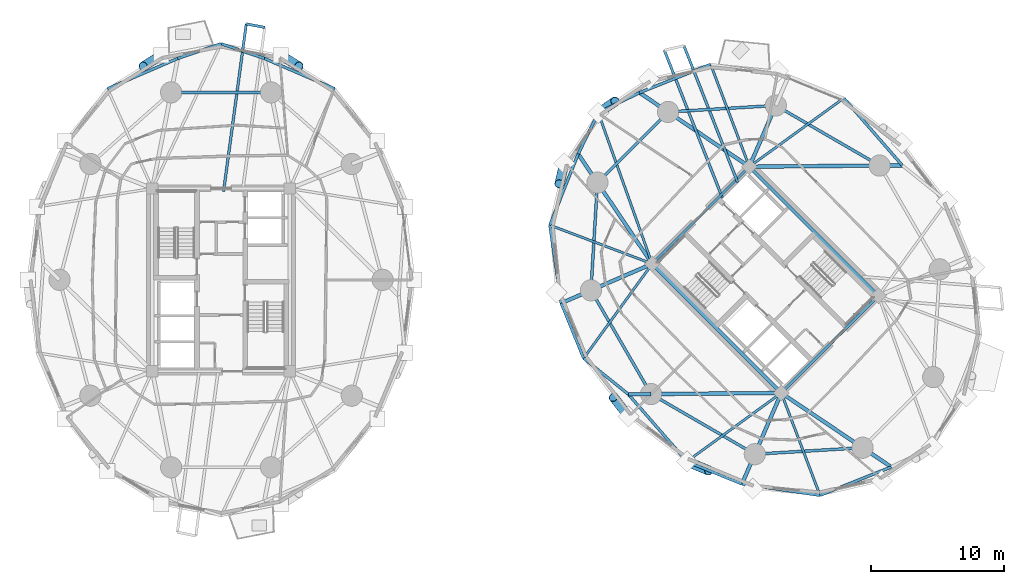
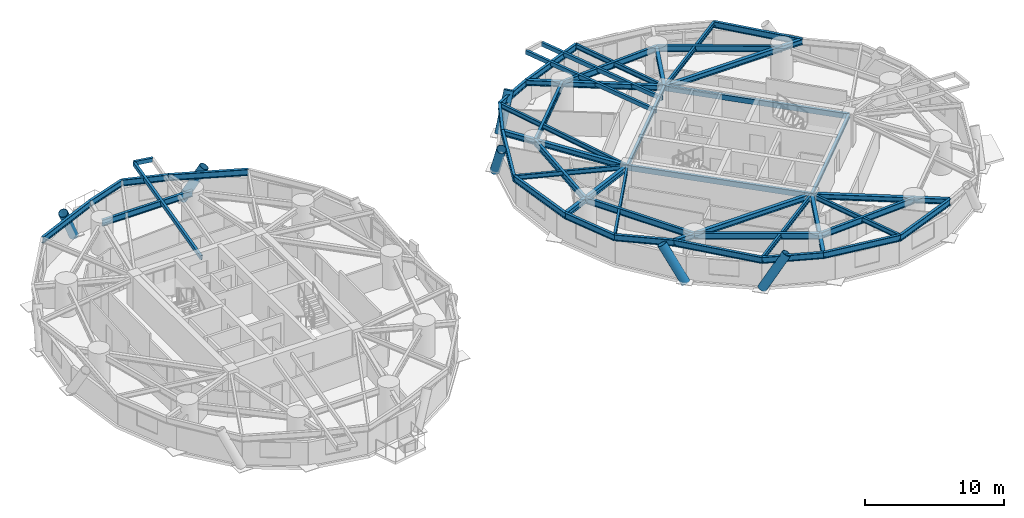
# One storey, part 6 of 18: 48 beams, 6 members.
"""IFC4 building model written with IfcOpenShell, lengths in metres."""

import ifcopenshell
import ifcopenshell.guid

model = None  # the IFC model being written
_history = None  # IfcOwnerHistory: only IFC2X3 demands one
_inside = {}  # id of a spatial element -> (the spatial element, [elements in it])
_under = {}  # id of a project, library or spatial element -> (it, [spatial elements below it])
_declared = {}  # id of a project -> (the project, [libraries it declares])
_typed = {}  # id of a type object -> (the type object, [elements of that type])
_made_of = {}  # id of a material, layer set ... -> (it, [elements and type objects made of it])


def new_model(schema):
    """Start an empty IFC model of exactly this schema.

    Asked for "IFC4X3", IfcOpenShell would pick the latest addendum, in which some entities
    have other attributes; the version numbers below select the first issue.
    IFC2X3 requires an IfcOwnerHistory on every rooted entity: one is made here for all.
    """
    global model, _history
    if schema == "IFC4X3":
        model = ifcopenshell.file(schema_version=(4, 3, 0, 0))
    else:
        model = ifcopenshell.file(schema=schema)
    _inside.clear()
    _under.clear()
    _declared.clear()
    _typed.clear()
    _made_of.clear()
    _history = None
    if model.schema == "IFC2X3":
        org = make("IfcOrganization", Name="unknown")
        user = make(
            "IfcPersonAndOrganization",
            ThePerson=make("IfcPerson", FamilyName="unknown"),
            TheOrganization=org,
        )
        app = make(
            "IfcApplication",
            ApplicationDeveloper=org,
            Version="unknown",
            ApplicationFullName="unknown",
            ApplicationIdentifier="unknown",
        )
        _history = make(
            "IfcOwnerHistory",
            OwningUser=user,
            OwningApplication=app,
            ChangeAction="ADDED",
            CreationDate=0,
        )
    return model


def make(cls, **values):
    """One entity of the class cls with the attributes given. An attribute that is None is left unset."""
    return model.create_entity(
        cls, **{name: value for name, value in values.items() if value is not None}
    )


def rooted(cls, **values):
    """An entity with a GlobalId (a new one), such as an element, a storey or a relation."""
    return make(cls, GlobalId=ifcopenshell.guid.new(), OwnerHistory=_history, **values)


def si_unit(unit_type, name, prefix=None):
    """IfcSIUnit, for example si_unit("LENGTHUNIT", "METRE", prefix="MILLI")."""
    return make("IfcSIUnit", UnitType=unit_type, Prefix=prefix, Name=name)


def assignment(units):
    """IfcUnitAssignment: the units of a project."""
    return None if units is None else make("IfcUnitAssignment", Units=units)


def point(xyz):
    """IfcCartesianPoint."""
    return None if xyz is None else make("IfcCartesianPoint", Coordinates=xyz)


def direction(xyz):
    """IfcDirection."""
    return None if xyz is None else make("IfcDirection", DirectionRatios=xyz)


def frame(location, z_axis=None, x_axis=None):
    """IfcAxis2Placement3D, a coordinate frame: its origin and axes. An axis left out is left unset."""
    return make(
        "IfcAxis2Placement3D",
        Location=point(location),
        Axis=direction(z_axis),
        RefDirection=direction(x_axis),
    )


def frame_2d(location, x_axis=None):
    """IfcAxis2Placement2D, a coordinate frame in the plane: its origin and x axis."""
    return make(
        "IfcAxis2Placement2D", Location=point(location), RefDirection=direction(x_axis)
    )


def origin():
    """The frame at (0, 0, 0) with its axes left unset."""
    return frame((0.0, 0.0, 0.0))


def origin_2d():
    """The frame at (0, 0) in the plane with its x axis left unset."""
    return frame_2d((0.0, 0.0))


def place(relative_to, where):
    """IfcLocalPlacement: puts the frame where relative to a parent placement (None: the world)."""
    return make(
        "IfcLocalPlacement", PlacementRelTo=relative_to, RelativePlacement=where
    )


def context(
    kind, dimensions, precision=None, world=None, true_north=None, identifier=None
):
    """IfcGeometricRepresentationContext, for example the 3D "Model" context."""
    return make(
        "IfcGeometricRepresentationContext",
        ContextIdentifier=identifier,
        ContextType=kind,
        CoordinateSpaceDimension=dimensions,
        Precision=precision,
        WorldCoordinateSystem=world,
        TrueNorth=true_north,
    )


def subcontext(parent, identifier, kind, view, scale=None):
    """IfcGeometricRepresentationSubContext, for example "Body" below "Model"."""
    return make(
        "IfcGeometricRepresentationSubContext",
        ContextIdentifier=identifier,
        ContextType=kind,
        ParentContext=parent,
        TargetScale=scale,
        TargetView=view,
    )


def project(units=None, contexts=None):
    """IfcProject with its units and contexts."""
    return rooted(
        "IfcProject",
        Name="project",
        RepresentationContexts=contexts,
        UnitsInContext=assignment(units),
    )


def spatial(cls, under=None, at=None, **own):
    """A site, building, storey or space (cls), placed at a placement, below another one or the project."""
    s = rooted(cls, ObjectPlacement=at, **own)
    if under is not None:
        _under.setdefault(under.id(), (under, []))[1].append(s)
    return s


def profile(cls, at=None, kind="AREA", **sizes):
    """A parametric profile (cls). Its sizes go by their IFC names, for example OverallWidth=200.0."""
    return make(cls, ProfileType=kind, Position=at, **sizes)


def hollow_rectangle(**sizes):
    """IfcRectangleHollowProfileDef."""
    return profile("IfcRectangleHollowProfileDef", **sizes)


def hollow_circle(**sizes):
    """IfcCircleHollowProfileDef."""
    return profile("IfcCircleHollowProfileDef", **sizes)


def i_section(**sizes):
    """IfcIShapeProfileDef."""
    return profile("IfcIShapeProfileDef", **sizes)


def extrude(swept, where, along, depth):
    """IfcExtrudedAreaSolid: the profile swept, set in the frame where, extruded along a direction by depth."""
    return make(
        "IfcExtrudedAreaSolid",
        SweptArea=swept,
        Position=where,
        ExtrudedDirection=direction(along),
        Depth=depth,
    )


def shape(context_of_items, identifier, shape_type, items):
    """IfcShapeRepresentation: the items that make up one representation, for example the "Body"."""
    return make(
        "IfcShapeRepresentation",
        ContextOfItems=context_of_items,
        RepresentationIdentifier=identifier,
        RepresentationType=shape_type,
        Items=items,
    )


def material(Name=None, Category=None):
    """IfcMaterial."""
    return make("IfcMaterial", Name=Name, Category=Category)


def material_profile(
    of_material, cross_section, Name=None, Category=None, Priority=None
):
    """IfcMaterialProfile: a cross section and its material."""
    return make(
        "IfcMaterialProfile",
        Name=Name,
        Material=of_material,
        Profile=cross_section,
        Priority=Priority,
        Category=Category,
    )


def profile_set(profiles, Name=None, composite=None):
    """IfcMaterialProfileSet."""
    return make(
        "IfcMaterialProfileSet",
        Name=Name,
        MaterialProfiles=profiles,
        CompositeProfile=composite,
    )


def made_of(thing, what):
    """Note that an element or type object is made of a material, layer set ...; save() writes the relation."""
    if what is not None:
        _made_of.setdefault(what.id(), (what, []))[1].append(thing)
    return thing


def type_object(cls, material=None, **own):
    """A type object (cls), such as IfcWallType, which elements share."""
    return made_of(rooted(cls, **own), material)


def element(
    cls,
    number,
    at=None,
    inside=None,
    cuts=None,
    type_object=None,
    material=None,
    context=None,
    identifier="Body",
    shape_type=None,
    held_by="IfcProductDefinitionShape",
    body=None,
    shapes=None,
    **own,
):
    """One element of the class cls, such as IfcWall. Its Tag is "e" and its number.

    at: its placement. inside: the storey or other place that contains it. cuts: it is an
    opening in that element (IfcRelVoidsElement). A single representation is given by context,
    identifier, shape_type and body (its items); several are given by shapes. held_by: the class
    of the entity that holds the representations. save() writes the other relations.
    """
    e = rooted(cls, Tag="e%d" % number, ObjectPlacement=at, **own)
    if body is not None:
        shapes = [shape(context, identifier, shape_type, body)]
    if shapes is not None:
        e.Representation = make(held_by, Representations=shapes)
    if inside is not None:
        _inside.setdefault(inside.id(), (inside, []))[1].append(e)
    if cuts is not None:
        rooted(
            "IfcRelVoidsElement", RelatingBuildingElement=cuts, RelatedOpeningElement=e
        )
    if type_object is not None:
        _typed.setdefault(type_object.id(), (type_object, []))[1].append(e)
    return made_of(e, material)


def aggregate(whole, parts):
    """IfcRelAggregates: a whole, such as a stair, and the parts it consists of."""
    return rooted("IfcRelAggregates", RelatingObject=whole, RelatedObjects=parts)


def save(model, path):
    """Write the relations noted so far, then the file.

    IfcRelAggregates (storeys below a building ...), IfcRelContainedInSpatialStructure (elements
    in a storey), IfcRelDefinesByType, IfcRelAssociatesMaterial and IfcRelDeclares: one each for
    every whole, place, type object, material and project.
    """
    for whole, parts in _under.values():
        aggregate(whole, parts)
    for where, things in _inside.values():
        rooted(
            "IfcRelContainedInSpatialStructure",
            RelatedElements=things,
            RelatingStructure=where,
        )
    for kind, things in _typed.values():
        rooted("IfcRelDefinesByType", RelatedObjects=things, RelatingType=kind)
    for what, things in _made_of.values():
        rooted("IfcRelAssociatesMaterial", RelatedObjects=things, RelatingMaterial=what)
    for by, libraries in _declared.values():
        rooted("IfcRelDeclares", RelatingContext=by, RelatedDefinitions=libraries)
    model.write(path)


model = new_model("IFC4")

# Units and contexts
model_context = context("Model", 3, precision=1e-05, world=origin(), true_north=direction((0.0, 1.0)))
body_context = subcontext(model_context, "Body", "Model", "MODEL_VIEW")
ifc_project = project(units=[si_unit("LENGTHUNIT", "METRE"), si_unit("AREAUNIT", "SQUARE_METRE"), si_unit("VOLUMEUNIT", "CUBIC_METRE"), si_unit("PLANEANGLEUNIT", "RADIAN"), si_unit("MASSUNIT", "GRAM", prefix="KILO")], contexts=[model_context])

# Site, building, storey
site_placement = place(None, origin())
site = spatial("IfcSite", under=ifc_project, at=site_placement, CompositionType="ELEMENT")
building_placement = place(site_placement, origin())
building = spatial("IfcBuilding", under=site, at=building_placement, Name="Cununo Teusaquillo Station Towers", CompositionType="ELEMENT")
storey_placement = place(building_placement, frame((0.0, 0.0, 22.0)))
storey = spatial("IfcBuildingStorey", under=building, at=storey_placement, Name="L05", CompositionType="ELEMENT", Elevation=22.0)

# Beams
ifc_material_1 = material(Name="Steel EN 10025-2 S355J2", Category="steel")
ifc_material_profile_1 = material_profile(ifc_material_1, hollow_rectangle(XDim=0.199951171875, YDim=0.35009765625, WallThickness=0.013916015625, at=origin_2d()), Name="RHS 350x200x14")
ifc_profile_set_1 = profile_set([ifc_material_profile_1], Name="Steel EN 10025-2 S355J2")
beam_type_1 = type_object("IfcBeamType", Name="BM-BAL-CANT", PredefinedType="BEAM", material=ifc_profile_set_1)
beam_1_placement = place(storey_placement, frame((16.6875, 31.14990234375, 2.47509765625), z_axis=(0.1343260621, 0.990937187233, 0.0), x_axis=(-0.990937187233, 0.1343260621, 0.0)))
element("IfcBeam", 1, at=beam_1_placement, inside=storey, type_object=beam_type_1, Name="L05 Tower A Balcony Cantilever Bracket 1B", PredefinedType="BEAM", context=body_context, shape_type="SweptSolid", body=[
    extrude(hollow_rectangle(XDim=0.199951171875, YDim=0.35009765625, WallThickness=0.013916015625, at=origin_2d()), origin(), (0.0, 0.0, 1.0), 12.748046875),
])
beam_2_placement = place(storey_placement, frame((55.422119140625, 31.82666015625, 2.47509765625), z_axis=(-0.366009523794, 0.930611104862, 0.0), x_axis=(-0.930611104862, -0.366009523794, 0.0)))
element("IfcBeam", 2, at=beam_2_placement, inside=storey, type_object=beam_type_1, Name="L05 Tower B Balcony Cantilever Bracket 1A", PredefinedType="BEAM", context=body_context, shape_type="SweptSolid", body=[
    extrude(hollow_rectangle(XDim=0.199951171875, YDim=0.35009765625, WallThickness=0.013916015625, at=origin_2d()), origin(), (0.0, 0.0, 1.0), 11.08154296875),
])
beam_3_placement = place(storey_placement, frame((54.268310546875, 30.6728515625, 2.47509765625), z_axis=(-0.366045434184, 0.930596980499, 0.0), x_axis=(-0.930596980499, -0.366045434184, 0.0)))
element("IfcBeam", 3, at=beam_3_placement, inside=storey, type_object=beam_type_1, Name="L05 Tower B Balcony Cantilever Bracket 1B", PredefinedType="BEAM", context=body_context, shape_type="SweptSolid", body=[
    extrude(hollow_rectangle(XDim=0.199951171875, YDim=0.35009765625, WallThickness=0.013916015625, at=origin_2d()), origin(), (0.0, 0.0, 1.0), 11.9521484375),
])
ifc_material_2 = material(Name="Steel EN 10025-2 S355J2", Category="steel")
ifc_material_profile_2 = material_profile(ifc_material_2, hollow_rectangle(XDim=0.25, YDim=0.449951171875, WallThickness=0.01611328125, at=origin_2d()), Name="RHS 450x250x16")
ifc_profile_set_2 = profile_set([ifc_material_profile_2], Name="Steel EN 10025-2 S355J2")
beam_type_2 = type_object("IfcBeamType", Name="BM-COUP-1", PredefinedType="USERDEFINED", material=ifc_profile_set_2)
for number, where, z_axis, x_axis, name in (
    (4, (58.70556640625, 15.975830078125, 2.425048828125), (-0.707106781187, 0.707106781187, 0.0), (-0.707106781187, -0.707106781187, 0.0), "L05 Tower B Core Beam 1"),
    (5, (66.024169921875, 23.29443359375, 2.425048828125), (-0.707106781187, 0.707106781187, 0.0), (-0.707106781187, -0.707106781187, 0.0), "L05 Tower B Core Beam 2"),
):
    element("IfcBeam", number, at=place(storey_placement, frame(where, z_axis=z_axis, x_axis=x_axis)), inside=storey, type_object=beam_type_2, Name=name, ObjectType="COUPLING BEAM", PredefinedType="USERDEFINED", context=body_context, shape_type="SweptSolid", body=[
        extrude(hollow_rectangle(XDim=0.25, YDim=0.449951171875, WallThickness=0.01611328125, at=origin_2d()), origin(), (0.0, 0.0, 1.0), 13.760009765625),
    ])
ifc_material_3 = material(Name="Steel ASTM A572 Grade 50", Category="steel")
ifc_material_profile_3 = material_profile(ifc_material_3, i_section(OverallWidth=0.180908203125, OverallDepth=0.4169921875, WebThickness=0.010986328125, FlangeThickness=0.018310546875, FilletRadius=0.012939453125, at=origin_2d()), Name="W16X57")
ifc_profile_set_3 = profile_set([ifc_material_profile_3], Name="Steel ASTM A572 Grade 50")
beam_type_3 = type_object("IfcBeamType", Name="BM-JOIST-1", PredefinedType="JOIST", material=ifc_profile_set_3)
beam_4_placement = place(storey_placement, frame((56.29443359375, 33.024169921875, 2.44140625), z_axis=(0.80949430453, 0.587127729658, 0.0), x_axis=(-0.587127729658, 0.80949430453, 0.0)))
element("IfcBeam", 6, at=beam_4_placement, inside=storey, type_object=beam_type_3, Name="L05 Tower B Radial Spandrel Joist V01", PredefinedType="JOIST", context=body_context, shape_type="SweptSolid", body=[
    extrude(i_section(OverallWidth=0.180908203125, OverallDepth=0.4169921875, WebThickness=0.010986328125, FlangeThickness=0.018310546875, FilletRadius=0.012939453125, at=origin_2d()), origin(), (0.0, 0.0, 1.0), 8.792236328125),
])
beam_5_placement = place(storey_placement, frame((56.29443359375, 33.024169921875, 2.44140625), z_axis=(-0.353719108867, 0.935351694296, 0.0), x_axis=(-0.935351694296, -0.353719108867, 0.0)))
element("IfcBeam", 7, at=beam_5_placement, inside=storey, type_object=beam_type_3, Name="L05 Tower B Radial Spandrel Joist V03", PredefinedType="JOIST", context=body_context, shape_type="SweptSolid", body=[
    extrude(i_section(OverallWidth=0.180908203125, OverallDepth=0.4169921875, WebThickness=0.010986328125, FlangeThickness=0.018310546875, FilletRadius=0.012939453125, at=origin_2d()), origin(), (0.0, 0.0, 1.0), 8.24169921875),
])
beam_6_placement = place(storey_placement, frame((48.975830078125, 25.70556640625, 2.44140625), z_axis=(-0.335830426812, 0.941922462004, 0.0), x_axis=(-0.941922462004, -0.335830426812, 0.0)))
element("IfcBeam", 8, at=beam_6_placement, inside=storey, type_object=beam_type_3, Name="L05 Tower B Radial Spandrel Joist V05", PredefinedType="JOIST", context=body_context, shape_type="SweptSolid", body=[
    extrude(i_section(OverallWidth=0.180908203125, OverallDepth=0.4169921875, WebThickness=0.010986328125, FlangeThickness=0.018310546875, FilletRadius=0.012939453125, at=origin_2d()), origin(), (0.0, 0.0, 1.0), 12.074951171875),
])
beam_7_placement = place(storey_placement, frame((48.975830078125, 25.70556640625, 2.44140625), z_axis=(-0.935351694296, 0.353719108867, 0.0), x_axis=(-0.353719108867, -0.935351694296, 0.0)))
element("IfcBeam", 9, at=beam_7_placement, inside=storey, type_object=beam_type_3, Name="L05 Tower B Radial Spandrel Joist V07", PredefinedType="JOIST", context=body_context, shape_type="SweptSolid", body=[
    extrude(i_section(OverallWidth=0.180908203125, OverallDepth=0.4169921875, WebThickness=0.010986328125, FlangeThickness=0.018310546875, FilletRadius=0.012939453125, at=origin_2d()), origin(), (0.0, 0.0, 1.0), 8.24169921875),
])
for number, where, z_axis, x_axis, name in (
    (10, (48.975830078125, 25.70556640625, 2.44140625), (-0.587127729658, -0.80949430453, 0.0), (0.80949430453, -0.587127729658, 0.0), "L05 Tower B Radial Spandrel Joist V09"),
    (11, (58.70556640625, 15.975830078125, 2.44140625), (-0.80949430453, -0.587127729658, 0.0), (0.587127729658, -0.80949430453, 0.0), "L05 Tower B Radial Spandrel Joist V11"),
):
    element("IfcBeam", number, at=place(storey_placement, frame(where, z_axis=z_axis, x_axis=x_axis)), inside=storey, type_object=beam_type_3, Name=name, PredefinedType="JOIST", context=body_context, shape_type="SweptSolid", body=[
        extrude(i_section(OverallWidth=0.180908203125, OverallDepth=0.4169921875, WebThickness=0.010986328125, FlangeThickness=0.018310546875, FilletRadius=0.012939453125, at=origin_2d()), origin(), (0.0, 0.0, 1.0), 8.792236328125),
    ])
beam_8_placement = place(storey_placement, frame((58.70556640625, 15.975830078125, 2.44140625), z_axis=(0.353719108867, -0.935351694296, 0.0), x_axis=(0.935351694296, 0.353719108867, 0.0)))
element("IfcBeam", 12, at=beam_8_placement, inside=storey, type_object=beam_type_3, Name="L05 Tower B Radial Spandrel Joist V13", PredefinedType="JOIST", context=body_context, shape_type="SweptSolid", body=[
    extrude(i_section(OverallWidth=0.180908203125, OverallDepth=0.4169921875, WebThickness=0.010986328125, FlangeThickness=0.018310546875, FilletRadius=0.012939453125, at=origin_2d()), origin(), (0.0, 0.0, 1.0), 8.24169921875),
])
ifc_material_4 = material(Name="Steel ASTM A572 Grade 50", Category="steel")
ifc_material_profile_4 = material_profile(ifc_material_4, i_section(OverallWidth=0.2041015625, OverallDepth=0.35009765625, WebThickness=0.008544921875, FlangeThickness=0.01513671875, FilletRadius=0.011962890625, at=origin_2d()), Name="W14X48")
ifc_profile_set_4 = profile_set([ifc_material_profile_4], Name="Steel ASTM A572 Grade 50")
beam_type_4 = type_object("IfcBeamType", Name="BM-LINTEL-1", PredefinedType="LINTEL", material=ifc_profile_set_4)
for number, where, z_axis, x_axis, name in (
    (13, (58.70556640625, 15.975830078125, 2.47509765625), (0.707106781187, 0.707106781187, 0.0), (-0.707106781187, 0.707106781187, 0.0), "L05 Tower B Core Beam 3"),
    (14, (48.975830078125, 25.70556640625, 2.47509765625), (0.707106781187, 0.707106781187, 0.0), (-0.707106781187, 0.707106781187, 0.0), "L05 Tower B Core Beam 4"),
):
    element("IfcBeam", number, at=place(storey_placement, frame(where, z_axis=z_axis, x_axis=x_axis)), inside=storey, type_object=beam_type_4, Name=name, PredefinedType="LINTEL", context=body_context, shape_type="SweptSolid", body=[
        extrude(i_section(OverallWidth=0.2041015625, OverallDepth=0.35009765625, WebThickness=0.008544921875, FlangeThickness=0.01513671875, FilletRadius=0.011962890625, at=origin_2d()), origin(), (0.0, 0.0, 1.0), 10.35009765625),
    ])
ifc_material_5 = material(Name="Steel ASTM A572 Grade 50", Category="steel")
ifc_material_profile_5 = material_profile(ifc_material_5, i_section(OverallWidth=0.280029296875, OverallDepth=0.462890625, WebThickness=0.0107421875, FlangeThickness=0.017333984375, FilletRadius=0.013916015625, at=origin_2d()), Name="W18X76")
ifc_profile_set_5 = profile_set([ifc_material_profile_5], Name="Steel ASTM A572 Grade 50")
beam_type_5 = type_object("IfcBeamType", Name="BM-RAD-G1", PredefinedType="BEAM", material=ifc_profile_set_5)
beam_9_placement = place(storey_placement, frame((56.29443359375, 33.024169921875, 2.41845703125), z_axis=(0.999964447856, 0.008432260906, 0.0), x_axis=(-0.008432260906, 0.999964447856, 0.0)))
element("IfcBeam", 15, at=beam_9_placement, inside=storey, type_object=beam_type_5, Name="L05 Tower B Continuous Overhanging Radial Girder 01", PredefinedType="BEAM", context=body_context, shape_type="SweptSolid", body=[
    extrude(i_section(OverallWidth=0.280029296875, OverallDepth=0.462890625, WebThickness=0.0107421875, FlangeThickness=0.017333984375, FilletRadius=0.013916015625, at=origin_2d()), origin(), (0.0, 0.0, 1.0), 11.5234375),
])
beam_10_placement = place(storey_placement, frame((56.29443359375, 33.024169921875, 2.41845703125), z_axis=(0.397346986387, 0.917668443616, 0.0), x_axis=(-0.917668443616, 0.397346986387, 0.0)))
element("IfcBeam", 16, at=beam_10_placement, inside=storey, type_object=beam_type_5, Name="L05 Tower B Radial Girder 02A", PredefinedType="BEAM", context=body_context, shape_type="SweptSolid", body=[
    extrude(i_section(OverallWidth=0.280029296875, OverallDepth=0.462890625, WebThickness=0.0107421875, FlangeThickness=0.017333984375, FilletRadius=0.013916015625, at=origin_2d()), origin(), (0.0, 0.0, 1.0), 5.02490234375),
])
for number, where, z_axis, x_axis, name in (
    (17, (56.29443359375, 33.024169921875, 2.41845703125), (-0.829460052631, 0.558566040042, 0.0), (-0.558566040042, -0.829460052631, 0.0), "L05 Tower B Continuous Overhanging Radial Girder 03"),
    (18, (48.975830078125, 25.70556640625, 2.41845703125), (-0.558566040042, 0.829460052631, 0.0), (-0.829460052631, -0.558566040042, 0.0), "L05 Tower B Continuous Overhanging Radial Girder 04"),
):
    element("IfcBeam", number, at=place(storey_placement, frame(where, z_axis=z_axis, x_axis=x_axis)), inside=storey, type_object=beam_type_5, Name=name, PredefinedType="BEAM", context=body_context, shape_type="SweptSolid", body=[
        extrude(i_section(OverallWidth=0.280029296875, OverallDepth=0.462890625, WebThickness=0.0107421875, FlangeThickness=0.017333984375, FilletRadius=0.013916015625, at=origin_2d()), origin(), (0.0, 0.0, 1.0), 9.982177734375),
    ])
beam_11_placement = place(storey_placement, frame((48.975830078125, 25.70556640625, 2.41845703125), z_axis=(-0.917655022043, -0.397377981926, 0.0), x_axis=(0.397377981926, -0.917655022043, 0.0)))
element("IfcBeam", 19, at=beam_11_placement, inside=storey, type_object=beam_type_5, Name="L05 Tower B Continuous Overhanging Radial Girder 05", PredefinedType="BEAM", context=body_context, shape_type="SweptSolid", body=[
    extrude(i_section(OverallWidth=0.280029296875, OverallDepth=0.462890625, WebThickness=0.0107421875, FlangeThickness=0.017333984375, FilletRadius=0.013916015625, at=origin_2d()), origin(), (0.0, 0.0, 1.0), 7.46533203125),
])
beam_12_placement = place(storey_placement, frame((58.70556640625, 15.975830078125, 2.41845703125), z_axis=(-0.999964431382, -0.008434214327, 0.0), x_axis=(0.008434214327, -0.999964431382, 0.0)))
element("IfcBeam", 20, at=beam_12_placement, inside=storey, type_object=beam_type_5, Name="L05 Tower B Radial Girder 06A", PredefinedType="BEAM", context=body_context, shape_type="SweptSolid", body=[
    extrude(i_section(OverallWidth=0.280029296875, OverallDepth=0.462890625, WebThickness=0.0107421875, FlangeThickness=0.017333984375, FilletRadius=0.013916015625, at=origin_2d()), origin(), (0.0, 0.0, 1.0), 9.812744140625),
])
beam_13_placement = place(storey_placement, frame((48.89306640625, 15.89306640625, 2.41845703125), z_axis=(-0.999964542292, -0.008421054524, 0.0), x_axis=(0.008421054524, -0.999964542292, 0.0)))
element("IfcBeam", 21, at=beam_13_placement, inside=storey, type_object=beam_type_5, Name="L05 Tower B Perimeter Overhang Girder 06B", PredefinedType="BEAM", context=body_context, shape_type="SweptSolid", body=[
    extrude(i_section(OverallWidth=0.280029296875, OverallDepth=0.462890625, WebThickness=0.0107421875, FlangeThickness=0.017333984375, FilletRadius=0.013916015625, at=origin_2d()), origin(), (0.0, 0.0, 1.0), 1.71044921875),
])
beam_14_placement = place(storey_placement, frame((58.70556640625, 15.975830078125, 2.41845703125), z_axis=(-0.397377981926, -0.917655022043, 0.0), x_axis=(0.917655022043, -0.397377981926, 0.0)))
element("IfcBeam", 22, at=beam_14_placement, inside=storey, type_object=beam_type_5, Name="L05 Tower B Continuous Overhanging Radial Girder 07", PredefinedType="BEAM", context=body_context, shape_type="SweptSolid", body=[
    extrude(i_section(OverallWidth=0.280029296875, OverallDepth=0.462890625, WebThickness=0.0107421875, FlangeThickness=0.017333984375, FilletRadius=0.013916015625, at=origin_2d()), origin(), (0.0, 0.0, 1.0), 7.46533203125),
])
beam_15_placement = place(storey_placement, frame((58.70556640625, 15.975830078125, 2.41845703125), z_axis=(0.829460052631, -0.558566040042, 0.0), x_axis=(0.558566040042, 0.829460052631, 0.0)))
element("IfcBeam", 23, at=beam_15_placement, inside=storey, type_object=beam_type_5, Name="L05 Tower B Continuous Overhanging Radial Girder 08", PredefinedType="BEAM", context=body_context, shape_type="SweptSolid", body=[
    extrude(i_section(OverallWidth=0.280029296875, OverallDepth=0.462890625, WebThickness=0.0107421875, FlangeThickness=0.017333984375, FilletRadius=0.013916015625, at=origin_2d()), origin(), (0.0, 0.0, 1.0), 9.982177734375),
])
ifc_material_6 = material(Name="Steel ASTM A572 Grade 50", Category="steel")
ifc_material_profile_6 = material_profile(ifc_material_6, i_section(OverallWidth=0.214111328125, OverallDepth=0.549072265625, WebThickness=0.0146484375, FlangeThickness=0.023681640625, FilletRadius=0.014892578125, at=origin_2d()), Name="W21X93")
ifc_profile_set_6 = profile_set([ifc_material_profile_6], Name="Steel ASTM A572 Grade 50")
beam_type_6 = type_object("IfcBeamType", Name="BM-RING-Z1", PredefinedType="SPANDREL", material=ifc_profile_set_6)
beam_16_placement = place(storey_placement, frame((20.261474609375, 38.623291015625, 2.37548828125), z_axis=(-1.0, 0.0, 0.0), x_axis=(0.0, -1.0, 0.0)))
element("IfcBeam", 24, at=beam_16_placement, inside=storey, type_object=beam_type_6, Name="L05 Tower A Structural Column Ring Girder 03", PredefinedType="SPANDREL", context=body_context, shape_type="SweptSolid", body=[
    extrude(i_section(OverallWidth=0.214111328125, OverallDepth=0.549072265625, WebThickness=0.0146484375, FlangeThickness=0.023681640625, FilletRadius=0.014892578125, at=origin_2d()), origin(), (0.0, 0.0, 1.0), 7.52294921875),
])
beam_17_placement = place(storey_placement, frame((25.064697265625, 38.892333984375, 2.37548828125), z_axis=(-0.91834475778, 0.395781386446, 0.0), x_axis=(-0.395781386446, -0.91834475778, 0.0)))
element("IfcBeam", 25, at=beam_17_placement, inside=storey, type_object=beam_type_6, Name="L05 Tower A Spandrel Ring Beam 04", PredefinedType="SPANDREL", context=body_context, shape_type="SweptSolid", body=[
    extrude(i_section(OverallWidth=0.214111328125, OverallDepth=0.549072265625, WebThickness=0.0146484375, FlangeThickness=0.023681640625, FilletRadius=0.014892578125, at=origin_2d()), origin(), (0.0, 0.0, 1.0), 5.773193359375),
])
for number, where, z_axis, x_axis, name in (
    (26, (19.762939453125, 41.17724609375, 2.37548828125), (-0.946472331641, 0.32278495231, 0.0), (-0.32278495231, -0.946472331641, 0.0), "L05 Tower A Spandrel Ring Beam 05"),
    (27, (16.5, 42.2900390625, 2.37548828125), (-0.946472331641, -0.32278495231, 0.0), (0.32278495231, -0.946472331641, 0.0), "L05 Tower A Spandrel Ring Beam 06"),
):
    element("IfcBeam", number, at=place(storey_placement, frame(where, z_axis=z_axis, x_axis=x_axis)), inside=storey, type_object=beam_type_6, Name=name, PredefinedType="SPANDREL", context=body_context, shape_type="SweptSolid", body=[
        extrude(i_section(OverallWidth=0.214111328125, OverallDepth=0.549072265625, WebThickness=0.0146484375, FlangeThickness=0.023681640625, FilletRadius=0.014892578125, at=origin_2d()), origin(), (0.0, 0.0, 1.0), 3.447509765625),
    ])
beam_18_placement = place(storey_placement, frame((13.237060546875, 41.17724609375, 2.37548828125), z_axis=(-0.91834475778, -0.395781386446, 0.0), x_axis=(0.395781386446, -0.91834475778, 0.0)))
element("IfcBeam", 28, at=beam_18_placement, inside=storey, type_object=beam_type_6, Name="L05 Tower A Spandrel Ring Beam 07", PredefinedType="SPANDREL", context=body_context, shape_type="SweptSolid", body=[
    extrude(i_section(OverallWidth=0.214111328125, OverallDepth=0.549072265625, WebThickness=0.0146484375, FlangeThickness=0.023681640625, FilletRadius=0.014892578125, at=origin_2d()), origin(), (0.0, 0.0, 1.0), 5.773193359375),
])
beam_19_placement = place(storey_placement, frame((66.10693359375, 33.10693359375, 2.37548828125), z_axis=(-0.865267103202, 0.501311121078, 0.0), x_axis=(-0.501311121078, -0.865267103202, 0.0)))
element("IfcBeam", 29, at=beam_19_placement, inside=storey, type_object=beam_type_6, Name="L05 Tower B Structural Column Ring Girder 01", PredefinedType="SPANDREL", context=body_context, shape_type="SweptSolid", body=[
    extrude(i_section(OverallWidth=0.214111328125, OverallDepth=0.549072265625, WebThickness=0.0146484375, FlangeThickness=0.023681640625, FilletRadius=0.014892578125, at=origin_2d()), origin(), (0.0, 0.0, 1.0), 9.032958984375),
])
beam_20_placement = place(storey_placement, frame((58.291015625, 37.63525390625, 2.37548828125), z_axis=(-0.998190567048, -0.06012979176, 0.0), x_axis=(0.06012979176, -0.998190567048, 0.0)))
element("IfcBeam", 30, at=beam_20_placement, inside=storey, type_object=beam_type_6, Name="L05 Tower B Structural Column Ring Girder 02", PredefinedType="SPANDREL", context=body_context, shape_type="SweptSolid", body=[
    extrude(i_section(OverallWidth=0.214111328125, OverallDepth=0.549072265625, WebThickness=0.0146484375, FlangeThickness=0.023681640625, FilletRadius=0.014892578125, at=origin_2d()), origin(), (0.0, 0.0, 1.0), 8.132568359375),
])
beam_21_placement = place(storey_placement, frame((50.173095703125, 37.146240234375, 2.37548828125), z_axis=(-0.707106781187, -0.707106781187, 0.0), x_axis=(0.707106781187, -0.707106781187, 0.0)))
element("IfcBeam", 31, at=beam_21_placement, inside=storey, type_object=beam_type_6, Name="L05 Tower B Structural Column Ring Girder 03", PredefinedType="SPANDREL", context=body_context, shape_type="SweptSolid", body=[
    extrude(i_section(OverallWidth=0.214111328125, OverallDepth=0.549072265625, WebThickness=0.0146484375, FlangeThickness=0.023681640625, FilletRadius=0.014892578125, at=origin_2d()), origin(), (0.0, 0.0, 1.0), 7.522705078125),
])
beam_22_placement = place(storey_placement, frame((44.853759765625, 31.826904296875, 2.37548828125), z_axis=(-0.06012979176, -0.998190567048, 0.0), x_axis=(0.998190567048, -0.06012979176, 0.0)))
element("IfcBeam", 32, at=beam_22_placement, inside=storey, type_object=beam_type_6, Name="L05 Tower B Structural Column Ring Girder 04", PredefinedType="SPANDREL", context=body_context, shape_type="SweptSolid", body=[
    extrude(i_section(OverallWidth=0.214111328125, OverallDepth=0.549072265625, WebThickness=0.0146484375, FlangeThickness=0.023681640625, FilletRadius=0.014892578125, at=origin_2d()), origin(), (0.0, 0.0, 1.0), 8.132568359375),
])
for number, where, z_axis, x_axis, name in (
    (33, (44.36474609375, 23.708984375, 2.37548828125), (0.501311121078, -0.865267103202, 0.0), (0.865267103202, 0.501311121078, 0.0), "L05 Tower B Structural Column Ring Girder 05"),
    (34, (48.89306640625, 15.89306640625, 2.37548828125), (0.865267103202, -0.501311121078, 0.0), (0.501311121078, 0.865267103202, 0.0), "L05 Tower B Structural Column Ring Girder 06"),
):
    element("IfcBeam", number, at=place(storey_placement, frame(where, z_axis=z_axis, x_axis=x_axis)), inside=storey, type_object=beam_type_6, Name=name, PredefinedType="SPANDREL", context=body_context, shape_type="SweptSolid", body=[
        extrude(i_section(OverallWidth=0.214111328125, OverallDepth=0.549072265625, WebThickness=0.0146484375, FlangeThickness=0.023681640625, FilletRadius=0.014892578125, at=origin_2d()), origin(), (0.0, 0.0, 1.0), 9.032958984375),
    ])
beam_23_placement = place(storey_placement, frame((56.708984375, 11.36474609375, 2.37548828125), z_axis=(0.998190567048, 0.06012979176, 0.0), x_axis=(-0.06012979176, 0.998190567048, 0.0)))
element("IfcBeam", 35, at=beam_23_placement, inside=storey, type_object=beam_type_6, Name="L05 Tower B Structural Column Ring Girder 07", PredefinedType="SPANDREL", context=body_context, shape_type="SweptSolid", body=[
    extrude(i_section(OverallWidth=0.214111328125, OverallDepth=0.549072265625, WebThickness=0.0146484375, FlangeThickness=0.023681640625, FilletRadius=0.014892578125, at=origin_2d()), origin(), (0.0, 0.0, 1.0), 8.132568359375),
])
beam_24_placement = place(storey_placement, frame((67.8173828125, 33.121337890625, 2.37548828125), z_axis=(-0.656302961242, 0.754497463922, 0.0), x_axis=(-0.754497463922, -0.656302961242, 0.0)))
element("IfcBeam", 36, at=beam_24_placement, inside=storey, type_object=beam_type_6, Name="L05 Tower B Spandrel Ring Beam 01", PredefinedType="SPANDREL", context=body_context, shape_type="SweptSolid", body=[
    extrude(i_section(OverallWidth=0.214111328125, OverallDepth=0.549072265625, WebThickness=0.0146484375, FlangeThickness=0.023681640625, FilletRadius=0.014892578125, at=origin_2d()), origin(), (0.0, 0.0, 1.0), 6.712890625),
])
beam_25_placement = place(storey_placement, frame((53.379150390625, 40.733154296875, 2.37548828125), z_axis=(-0.929221438466, -0.369523366373, 0.0), x_axis=(0.369523366373, -0.929221438466, 0.0)))
element("IfcBeam", 37, at=beam_25_placement, inside=storey, type_object=beam_type_6, Name="L05 Tower B Spandrel Ring Beam 04", PredefinedType="SPANDREL", context=body_context, shape_type="SweptSolid", body=[
    extrude(i_section(OverallWidth=0.214111328125, OverallDepth=0.549072265625, WebThickness=0.0146484375, FlangeThickness=0.023681640625, FilletRadius=0.014892578125, at=origin_2d()), origin(), (0.0, 0.0, 1.0), 5.773193359375),
])
for number, where, z_axis, x_axis, name in (
    (38, (48.0146484375, 38.599853515625, 2.37548828125), (-0.89747957949, -0.4410560105, 0.0), (0.4410560105, -0.89747957949, 0.0), "L05 Tower B Spandrel Ring Beam 05"),
    (39, (44.920654296875, 37.079345703125, 2.37548828125), (-0.4410560105, -0.89747957949, 0.0), (0.89747957949, -0.4410560105, 0.0), "L05 Tower B Spandrel Ring Beam 06"),
):
    element("IfcBeam", number, at=place(storey_placement, frame(where, z_axis=z_axis, x_axis=x_axis)), inside=storey, type_object=beam_type_6, Name=name, PredefinedType="SPANDREL", context=body_context, shape_type="SweptSolid", body=[
        extrude(i_section(OverallWidth=0.214111328125, OverallDepth=0.549072265625, WebThickness=0.0146484375, FlangeThickness=0.023681640625, FilletRadius=0.014892578125, at=origin_2d()), origin(), (0.0, 0.0, 1.0), 3.447509765625),
    ])
beam_26_placement = place(storey_placement, frame((43.400146484375, 33.9853515625, 2.37548828125), z_axis=(-0.369523366373, -0.929221438466, 0.0), x_axis=(0.929221438466, -0.369523366373, 0.0)))
element("IfcBeam", 40, at=beam_26_placement, inside=storey, type_object=beam_type_6, Name="L05 Tower B Spandrel Ring Beam 07", PredefinedType="SPANDREL", context=body_context, shape_type="SweptSolid", body=[
    extrude(i_section(OverallWidth=0.214111328125, OverallDepth=0.549072265625, WebThickness=0.0146484375, FlangeThickness=0.023681640625, FilletRadius=0.014892578125, at=origin_2d()), origin(), (0.0, 0.0, 1.0), 5.773193359375),
])
beam_27_placement = place(storey_placement, frame((41.266845703125, 28.620849609375, 2.37548828125), z_axis=(0.144410786586, -0.989517824356, 0.0), x_axis=(0.989517824356, 0.144410786586, 0.0)))
element("IfcBeam", 41, at=beam_27_placement, inside=storey, type_object=beam_type_6, Name="L05 Tower B Spandrel Ring Beam 08", PredefinedType="SPANDREL", context=body_context, shape_type="SweptSolid", body=[
    extrude(i_section(OverallWidth=0.214111328125, OverallDepth=0.549072265625, WebThickness=0.0146484375, FlangeThickness=0.023681640625, FilletRadius=0.014892578125, at=origin_2d()), origin(), (0.0, 0.0, 1.0), 5.944091796875),
])
beam_28_placement = place(storey_placement, frame((42.125244140625, 22.739013671875, 2.37548828125), z_axis=(0.376813976218, -0.926288954553, 0.0), x_axis=(0.926288954553, 0.376813976218, 0.0)))
element("IfcBeam", 42, at=beam_28_placement, inside=storey, type_object=beam_type_6, Name="L05 Tower B Spandrel Ring Beam 09", PredefinedType="SPANDREL", context=body_context, shape_type="SweptSolid", body=[
    extrude(i_section(OverallWidth=0.214111328125, OverallDepth=0.549072265625, WebThickness=0.0146484375, FlangeThickness=0.023681640625, FilletRadius=0.014892578125, at=origin_2d()), origin(), (0.0, 0.0, 1.0), 4.48095703125),
])
beam_29_placement = place(storey_placement, frame((43.813720703125, 18.58837890625, 2.37548828125), z_axis=(0.779218846052, -0.626751936541, 0.0), x_axis=(0.626751936541, 0.779218846052, 0.0)))
element("IfcBeam", 43, at=beam_29_placement, inside=storey, type_object=beam_type_6, Name="L05 Tower B Spandrel Ring Beam 10", PredefinedType="SPANDREL", context=body_context, shape_type="SweptSolid", body=[
    extrude(i_section(OverallWidth=0.214111328125, OverallDepth=0.549072265625, WebThickness=0.0146484375, FlangeThickness=0.023681640625, FilletRadius=0.014892578125, at=origin_2d()), origin(), (0.0, 0.0, 1.0), 4.323486328125),
])
beam_30_placement = place(storey_placement, frame((47.1826171875, 15.878662109375, 2.37548828125), z_axis=(0.656302961242, -0.754497463922, 0.0), x_axis=(0.754497463922, 0.656302961242, 0.0)))
element("IfcBeam", 44, at=beam_30_placement, inside=storey, type_object=beam_type_6, Name="L05 Tower B Spandrel Ring Beam 11", PredefinedType="SPANDREL", context=body_context, shape_type="SweptSolid", body=[
    extrude(i_section(OverallWidth=0.214111328125, OverallDepth=0.549072265625, WebThickness=0.0146484375, FlangeThickness=0.023681640625, FilletRadius=0.014892578125, at=origin_2d()), origin(), (0.0, 0.0, 1.0), 6.712890625),
])
beam_31_placement = place(storey_placement, frame((51.58837890625, 10.813720703125, 2.37548828125), z_axis=(0.926288954553, -0.376813976218, 0.0), x_axis=(0.376813976218, 0.926288954553, 0.0)))
element("IfcBeam", 45, at=beam_31_placement, inside=storey, type_object=beam_type_6, Name="L05 Tower B Spandrel Ring Beam 12", PredefinedType="SPANDREL", context=body_context, shape_type="SweptSolid", body=[
    extrude(i_section(OverallWidth=0.214111328125, OverallDepth=0.549072265625, WebThickness=0.0146484375, FlangeThickness=0.023681640625, FilletRadius=0.014892578125, at=origin_2d()), origin(), (0.0, 0.0, 1.0), 4.48095703125),
])
beam_32_placement = place(storey_placement, frame((55.739013671875, 9.125244140625, 2.37548828125), z_axis=(0.989517824356, -0.144410786586, 0.0), x_axis=(0.144410786586, 0.989517824356, 0.0)))
element("IfcBeam", 46, at=beam_32_placement, inside=storey, type_object=beam_type_6, Name="L05 Tower B Spandrel Ring Beam 13", PredefinedType="SPANDREL", context=body_context, shape_type="SweptSolid", body=[
    extrude(i_section(OverallWidth=0.214111328125, OverallDepth=0.549072265625, WebThickness=0.0146484375, FlangeThickness=0.023681640625, FilletRadius=0.014892578125, at=origin_2d()), origin(), (0.0, 0.0, 1.0), 5.944091796875),
])
beam_33_placement = place(storey_placement, frame((61.620849609375, 8.266845703125, 2.37548828125), z_axis=(0.929221438466, 0.369523366373, 0.0), x_axis=(-0.369523366373, 0.929221438466, 0.0)))
element("IfcBeam", 47, at=beam_33_placement, inside=storey, type_object=beam_type_6, Name="L05 Tower B Spandrel Ring Beam 14", PredefinedType="SPANDREL", context=body_context, shape_type="SweptSolid", body=[
    extrude(i_section(OverallWidth=0.214111328125, OverallDepth=0.549072265625, WebThickness=0.0146484375, FlangeThickness=0.023681640625, FilletRadius=0.014892578125, at=origin_2d()), origin(), (0.0, 0.0, 1.0), 5.773193359375),
])
ifc_material_7 = material(Name="Steel EN 10025-2 S355J2", Category="steel")
ifc_material_profile_7 = material_profile(ifc_material_7, hollow_rectangle(XDim=0.199951171875, YDim=0.35009765625, WallThickness=0.013916015625, at=origin_2d()), Name="RHS 350x200x14")
ifc_profile_set_7 = profile_set([ifc_material_profile_7], Name="Steel EN 10025-2 S355J2")
beam_type_7 = type_object("IfcBeamType", Name="BM-STAIR-TRIM", PredefinedType="BEAM", material=ifc_profile_set_7)
beam_34_placement = place(storey_placement, frame((19.79150390625, 43.513427734375, 2.52490234375), z_axis=(-0.981819220437, 0.189818382618, 0.0), x_axis=(-0.189818382618, -0.981819220437, 0.0)))
element("IfcBeam", 48, at=beam_34_placement, inside=storey, type_object=beam_type_7, Name="L05 Tower A Balcony Edge Trimmer Beam 1", PredefinedType="BEAM", context=body_context, shape_type="SweptSolid", body=[
    extrude(hollow_rectangle(XDim=0.199951171875, YDim=0.35009765625, WallThickness=0.013916015625, at=origin_2d()), origin(), (0.0, 0.0, 1.0), 1.41748046875),
])

# Members
ifc_material_8 = material(Name="Steel EN 10025-2 S355J2", Category="steel")
ifc_material_profile_8 = material_profile(ifc_material_8, hollow_circle(Radius=0.360107421875, WallThickness=0.028076171875, at=origin_2d()), Name="CHS 720x28")
ifc_profile_set_8 = profile_set([ifc_material_profile_8], Name="Steel EN 10025-2 S355J2")
member_type = type_object("IfcMemberType", Name="MBR-DIAG-Z1", PredefinedType="BRACE", material=ifc_profile_set_8)
for number, where, z_axis, x_axis, name in (
    (49, (21.002685546875, 41.419189453125, -0.139892578125), (0.408055438653, -0.253839030536, 0.876958668104), (0.528208680412, 0.849114591758, 0.0), "L05 Tower A Folded-Zigzag Diagrid Tube C03"),
    (50, (11.997314453125, 41.419189453125, -0.139892578125), (-0.408055438653, -0.253839030536, 0.876958668104), (0.528208680412, -0.849114591758, 0.0), "L05 Tower A Folded-Zigzag Diagrid Tube C06"),
):
    element("IfcMember", number, at=place(storey_placement, frame(where, z_axis=z_axis, x_axis=x_axis)), inside=storey, type_object=member_type, Name=name, PredefinedType="BRACE", context=body_context, shape_type="SweptSolid", body=[
        extrude(hollow_circle(Radius=0.360107421875, WallThickness=0.028076171875, at=origin_2d()), origin(), (0.0, 0.0, 1.0), 3.318115234375),
    ])
member_1_placement = place(storey_placement, frame((44.920654296875, 37.079345703125, -0.139892578125), z_axis=(0.38526306798, 0.260481507501, 0.885280606758), x_axis=(-0.56010632365, 0.828420730189, 0.0)))
element("IfcMember", 51, at=member_1_placement, inside=storey, type_object=member_type, Name="L05 Tower B Folded-Zigzag Diagrid Tube C04", PredefinedType="BRACE", context=body_context, shape_type="SweptSolid", body=[
    extrude(hollow_circle(Radius=0.360107421875, WallThickness=0.028076171875, at=origin_2d()), origin(), (0.0, 0.0, 1.0), 3.287109375),
])
member_2_placement = place(storey_placement, frame((42.352294921875, 33.27978515625, -0.139892578125), z_axis=(-0.109041000071, -0.468022807997, 0.876963346725), x_axis=(0.973916822154, -0.226905318414, 0.0)))
element("IfcMember", 52, at=member_2_placement, inside=storey, type_object=member_type, Name="L05 Tower B Folded-Zigzag Diagrid Tube C06", PredefinedType="BRACE", context=body_context, shape_type="SweptSolid", body=[
    extrude(hollow_circle(Radius=0.360107421875, WallThickness=0.028076171875, at=origin_2d()), origin(), (0.0, 0.0, 1.0), 3.318115234375),
])
member_3_placement = place(storey_placement, frame((47.19677734375, 14.19677734375, -0.139892578125), z_axis=(-0.327144879926, 0.424672158483, 0.844174025511), x_axis=(-0.792196489167, -0.610266107982, 0.0)))
element("IfcMember", 53, at=member_3_placement, inside=storey, type_object=member_type, Name="L05 Tower B Folded-Zigzag Diagrid Tube C09", PredefinedType="BRACE", context=body_context, shape_type="SweptSolid", body=[
    extrude(hollow_circle(Radius=0.360107421875, WallThickness=0.028076171875, at=origin_2d()), origin(), (0.0, 0.0, 1.0), 3.447021484375),
])
member_4_placement = place(storey_placement, frame((51.58837890625, 10.813720703125, -0.139892578125), z_axis=(0.484849273185, -0.19926976465, 0.851594236235), x_axis=(0.380139600173, 0.924929123977, 0.0)))
element("IfcMember", 54, at=member_4_placement, inside=storey, type_object=member_type, Name="L05 Tower B Folded-Zigzag Diagrid Tube C11", PredefinedType="BRACE", context=body_context, shape_type="SweptSolid", body=[
    extrude(hollow_circle(Radius=0.360107421875, WallThickness=0.028076171875, at=origin_2d()), origin(), (0.0, 0.0, 1.0), 3.4169921875),
])

save(model, "model.ifc")
